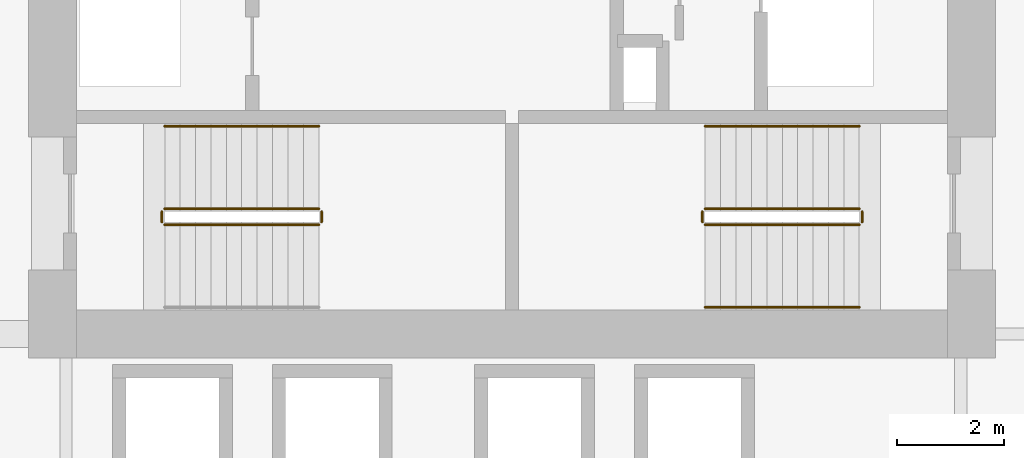
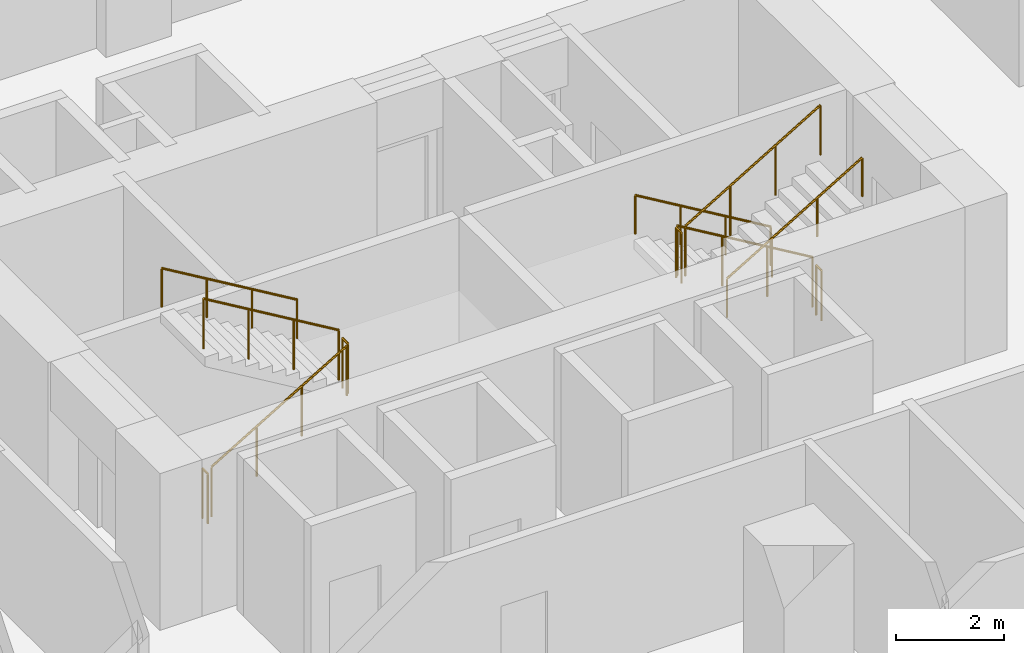
# One storey, part 18 of 20: 11 railings.
"""IFC4 building model written with IfcOpenShell, lengths in metres."""

from ifc_helpers import new_model, si_unit, direction, frame, origin, origin_2d, place, context, subcontext, project, spatial, circle, extrude, material, type_object, element, save


model = new_model("IFC4")

# Units and contexts
model_context = context("Model", 3, precision=1e-05, world=origin(), true_north=direction((0.0, 1.0)))
body_context = subcontext(model_context, "Body", "Model", "MODEL_VIEW")
ifc_project = project(units=[si_unit("LENGTHUNIT", "METRE"), si_unit("AREAUNIT", "SQUARE_METRE"), si_unit("VOLUMEUNIT", "CUBIC_METRE"), si_unit("PLANEANGLEUNIT", "RADIAN"), si_unit("MASSUNIT", "GRAM", prefix="KILO")], contexts=[model_context])

# Site, building, storey
site_placement = place(None, origin())
site = spatial("IfcSite", under=ifc_project, at=site_placement, CompositionType="ELEMENT")
building_placement = place(site_placement, origin())
building = spatial("IfcBuilding", under=site, at=building_placement, Name="Koriwani Terraces Tower", CompositionType="ELEMENT")
storey_placement = place(building_placement, frame((0.0, 0.0, 66.199951171875)))
storey = spatial("IfcBuildingStorey", under=building, at=storey_placement, Name="L15", CompositionType="ELEMENT", Elevation=66.199951171875)

# Railings
ifc_material = material(Name="Steel ASTM A572 Grade 50", Category="steel")
railing_type_1 = type_object("IfcRailingType", Name="GUARD_STAIR_WELL_1120", PredefinedType="GUARDRAIL", material=ifc_material)
railing_1_placement = place(storey_placement, frame((43.85009765625, 18.85009765625, 0.1728515625)))
element("IfcRailing", 1, at=railing_1_placement, inside=storey, type_object=railing_type_1, Name="L15 ST-E1 stair guard 1", PredefinedType="GUARDRAIL", context=body_context, shape_type="SweptSolid", body=[
    extrude(circle(Radius=0.02392578125, at=origin_2d()), frame((0.0, 0.0, 1.1259765625), z_axis=(0.859141464434, 0.0, 0.511738159696), x_axis=(0.0, 1.0, 0.0)), (0.0, 0.0, 1.0), 3.375244140625),
    extrude(circle(Radius=0.02099609375, at=origin_2d()), origin(), (0.0, 0.0, 1.0), 1.101806640625),
    extrude(circle(Radius=0.02099609375, at=origin_2d()), frame((0.966552734375, 0.0, 0.57568359375)), (0.0, 0.0, 1.0), 1.101806640625),
    extrude(circle(Radius=0.02099609375, at=origin_2d()), frame((1.933349609375, 0.0, 1.151611328125)), (0.0, 0.0, 1.0), 1.101806640625),
    extrude(circle(Radius=0.02099609375, at=origin_2d()), frame((2.89990234375, 0.0, 1.727294921875)), (0.0, 0.0, 1.0), 1.101806640625),
])
railing_2_placement = place(storey_placement, frame((46.800048828125, 18.89990234375, 1.900146484375)))
element("IfcRailing", 2, at=railing_2_placement, inside=storey, type_object=railing_type_1, Name="L15 ST-E1 stair guard 2", PredefinedType="GUARDRAIL", context=body_context, shape_type="SweptSolid", body=[
    extrude(circle(Radius=0.02392578125, at=origin_2d()), frame((0.0, 0.0, 1.1259765625), z_axis=(0.0, 1.0, 0.0), x_axis=(-1.0, 0.0, 0.0)), (0.0, 0.0, 1.0), 0.2001953125),
    extrude(circle(Radius=0.02099609375, at=origin_2d()), origin(), (0.0, 0.0, 1.0), 1.101806640625),
    extrude(circle(Radius=0.02099609375, at=origin_2d()), frame((0.0, 0.2001953125, 0.0)), (0.0, 0.0, 1.0), 1.101806640625),
])
railing_3_placement = place(storey_placement, frame((46.75, 19.14990234375, 2.07275390625)))
element("IfcRailing", 3, at=railing_3_placement, inside=storey, type_object=railing_type_1, Name="L15 ST-E1 stair guard 3", PredefinedType="GUARDRAIL", context=body_context, shape_type="SweptSolid", body=[
    extrude(circle(Radius=0.02392578125, at=origin_2d()), frame((0.0, 0.0, 1.1259765625), z_axis=(-0.859141464434, 0.0, 0.511738159696), x_axis=(0.0, -1.0, 0.0)), (0.0, 0.0, 1.0), 3.375244140625),
    extrude(circle(Radius=0.02099609375, at=origin_2d()), origin(), (0.0, 0.0, 1.0), 1.101806640625),
    extrude(circle(Radius=0.02099609375, at=origin_2d()), frame((-0.966552734375, 0.0, 0.57568359375)), (0.0, 0.0, 1.0), 1.101806640625),
    extrude(circle(Radius=0.02099609375, at=origin_2d()), frame((-1.933349609375, 0.0, 1.151611328125)), (0.0, 0.0, 1.0), 1.101806640625),
    extrude(circle(Radius=0.02099609375, at=origin_2d()), frame((-2.89990234375, 0.0, 1.727294921875)), (0.0, 0.0, 1.0), 1.101806640625),
])
railing_4_placement = place(storey_placement, frame((43.800048828125, 18.89990234375, 0.0)))
element("IfcRailing", 4, at=railing_4_placement, inside=storey, type_object=railing_type_1, Name="L15 ST-E1 stair guard 4", PredefinedType="GUARDRAIL", context=body_context, shape_type="SweptSolid", body=[
    extrude(circle(Radius=0.02392578125, at=origin_2d()), frame((0.0, 0.0, 1.1259765625), z_axis=(0.0, 1.0, 0.0), x_axis=(-1.0, 0.0, 0.0)), (0.0, 0.0, 1.0), 0.2001953125),
    extrude(circle(Radius=0.02099609375, at=origin_2d()), origin(), (0.0, 0.0, 1.0), 1.101806640625),
    extrude(circle(Radius=0.02099609375, at=origin_2d()), frame((0.0, 0.2001953125, 0.0)), (0.0, 0.0, 1.0), 1.101806640625),
])
railing_5_placement = place(storey_placement, frame((56.89990234375, 19.14990234375, 0.1728515625)))
element("IfcRailing", 5, at=railing_5_placement, inside=storey, type_object=railing_type_1, Name="L15 ST-E2 stair guard 1", PredefinedType="GUARDRAIL", context=body_context, shape_type="SweptSolid", body=[
    extrude(circle(Radius=0.02392578125, at=origin_2d()), frame((0.0, 0.0, 1.1259765625), z_axis=(-0.859141464434, 0.0, 0.511738159696), x_axis=(0.0, -1.0, 0.0)), (0.0, 0.0, 1.0), 3.375244140625),
    extrude(circle(Radius=0.02099609375, at=origin_2d()), origin(), (0.0, 0.0, 1.0), 1.101806640625),
    extrude(circle(Radius=0.02099609375, at=origin_2d()), frame((-0.966552734375, 0.0, 0.57568359375)), (0.0, 0.0, 1.0), 1.101806640625),
    extrude(circle(Radius=0.02099609375, at=origin_2d()), frame((-1.933349609375, 0.0, 1.151611328125)), (0.0, 0.0, 1.0), 1.101806640625),
    extrude(circle(Radius=0.02099609375, at=origin_2d()), frame((-2.89990234375, 0.0, 1.727294921875)), (0.0, 0.0, 1.0), 1.101806640625),
])
railing_6_placement = place(storey_placement, frame((53.949951171875, 19.10009765625, 1.900146484375)))
element("IfcRailing", 6, at=railing_6_placement, inside=storey, type_object=railing_type_1, Name="L15 ST-E2 stair guard 2", PredefinedType="GUARDRAIL", context=body_context, shape_type="SweptSolid", body=[
    extrude(circle(Radius=0.02392578125, at=origin_2d()), frame((0.0, 0.0, 1.1259765625), z_axis=(0.0, -1.0, 0.0), x_axis=(1.0, 0.0, 0.0)), (0.0, 0.0, 1.0), 0.2001953125),
    extrude(circle(Radius=0.02099609375, at=origin_2d()), origin(), (0.0, 0.0, 1.0), 1.101806640625),
    extrude(circle(Radius=0.02099609375, at=origin_2d()), frame((0.0, -0.2001953125, 0.0)), (0.0, 0.0, 1.0), 1.101806640625),
])
railing_7_placement = place(storey_placement, frame((54.0, 18.85009765625, 2.07275390625)))
element("IfcRailing", 7, at=railing_7_placement, inside=storey, type_object=railing_type_1, Name="L15 ST-E2 stair guard 3", PredefinedType="GUARDRAIL", context=body_context, shape_type="SweptSolid", body=[
    extrude(circle(Radius=0.02392578125, at=origin_2d()), frame((0.0, 0.0, 1.1259765625), z_axis=(0.859141464434, 0.0, 0.511738159696), x_axis=(0.0, 1.0, 0.0)), (0.0, 0.0, 1.0), 3.375244140625),
    extrude(circle(Radius=0.02099609375, at=origin_2d()), origin(), (0.0, 0.0, 1.0), 1.101806640625),
    extrude(circle(Radius=0.02099609375, at=origin_2d()), frame((0.966552734375, 0.0, 0.57568359375)), (0.0, 0.0, 1.0), 1.101806640625),
    extrude(circle(Radius=0.02099609375, at=origin_2d()), frame((1.933349609375, 0.0, 1.151611328125)), (0.0, 0.0, 1.0), 1.101806640625),
    extrude(circle(Radius=0.02099609375, at=origin_2d()), frame((2.89990234375, 0.0, 1.727294921875)), (0.0, 0.0, 1.0), 1.101806640625),
])
railing_8_placement = place(storey_placement, frame((56.949951171875, 19.10009765625, 0.0)))
element("IfcRailing", 8, at=railing_8_placement, inside=storey, type_object=railing_type_1, Name="L15 ST-E2 stair guard 4", PredefinedType="GUARDRAIL", context=body_context, shape_type="SweptSolid", body=[
    extrude(circle(Radius=0.02392578125, at=origin_2d()), frame((0.0, 0.0, 1.1259765625), z_axis=(0.0, -1.0, 0.0), x_axis=(1.0, 0.0, 0.0)), (0.0, 0.0, 1.0), 0.2001953125),
    extrude(circle(Radius=0.02099609375, at=origin_2d()), origin(), (0.0, 0.0, 1.0), 1.101806640625),
    extrude(circle(Radius=0.02099609375, at=origin_2d()), frame((0.0, -0.2001953125, 0.0)), (0.0, 0.0, 1.0), 1.101806640625),
])
railing_type_2 = type_object("IfcRailingType", Name="HANDRAIL_STAIR_920", PredefinedType="HANDRAIL", material=ifc_material)
for number, where, name in (
    (9, (46.75, 20.699951171875, 2.07275390625), "L15 ST-E1 stair handrail 2"),
    (10, (56.89990234375, 20.699951171875, 0.1728515625), "L15 ST-E2 stair handrail 1"),
):
    element("IfcRailing", number, at=place(storey_placement, frame(where)), inside=storey, type_object=railing_type_2, Name=name, PredefinedType="HANDRAIL", context=body_context, shape_type="SweptSolid", body=[
        extrude(circle(Radius=0.02392578125, at=origin_2d()), frame((0.0, 0.0, 0.8759765625), z_axis=(-0.859141464434, 0.0, 0.511738159696), x_axis=(0.0, -1.0, 0.0)), (0.0, 0.0, 1.0), 3.375244140625),
        extrude(circle(Radius=0.02099609375, at=origin_2d()), origin(), (0.0, 0.0, 1.0), 0.851806640625),
        extrude(circle(Radius=0.02099609375, at=origin_2d()), frame((-0.966552734375, 0.0, 0.57568359375)), (0.0, 0.0, 1.0), 0.851806640625),
        extrude(circle(Radius=0.02099609375, at=origin_2d()), frame((-1.933349609375, 0.0, 1.151611328125)), (0.0, 0.0, 1.0), 0.851806640625),
        extrude(circle(Radius=0.02099609375, at=origin_2d()), frame((-2.89990234375, 0.0, 1.727294921875)), (0.0, 0.0, 1.0), 0.851806640625),
    ])
railing_9_placement = place(storey_placement, frame((54.0, 17.300048828125, 2.07275390625)))
element("IfcRailing", 11, at=railing_9_placement, inside=storey, type_object=railing_type_2, Name="L15 ST-E2 stair handrail 2", PredefinedType="HANDRAIL", context=body_context, shape_type="SweptSolid", body=[
    extrude(circle(Radius=0.02392578125, at=origin_2d()), frame((0.0, 0.0, 0.8759765625), z_axis=(0.859141464434, 0.0, 0.511738159696), x_axis=(0.0, 1.0, 0.0)), (0.0, 0.0, 1.0), 3.375244140625),
    extrude(circle(Radius=0.02099609375, at=origin_2d()), origin(), (0.0, 0.0, 1.0), 0.851806640625),
    extrude(circle(Radius=0.02099609375, at=origin_2d()), frame((0.966552734375, 0.0, 0.57568359375)), (0.0, 0.0, 1.0), 0.851806640625),
    extrude(circle(Radius=0.02099609375, at=origin_2d()), frame((1.933349609375, 0.0, 1.151611328125)), (0.0, 0.0, 1.0), 0.851806640625),
    extrude(circle(Radius=0.02099609375, at=origin_2d()), frame((2.89990234375, 0.0, 1.727294921875)), (0.0, 0.0, 1.0), 0.851806640625),
])

save(model, "model.ifc")
